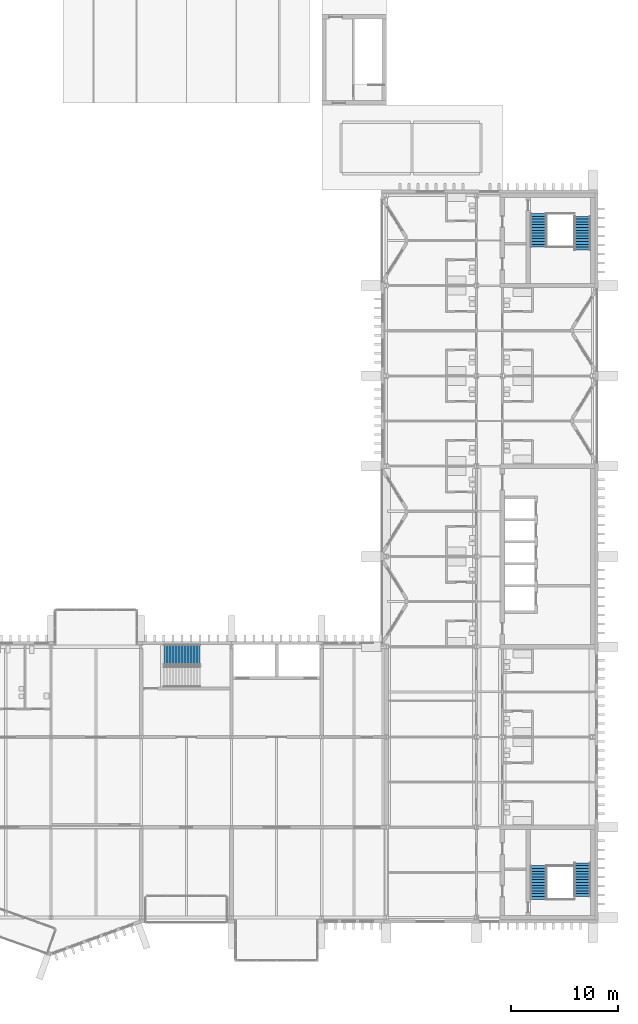
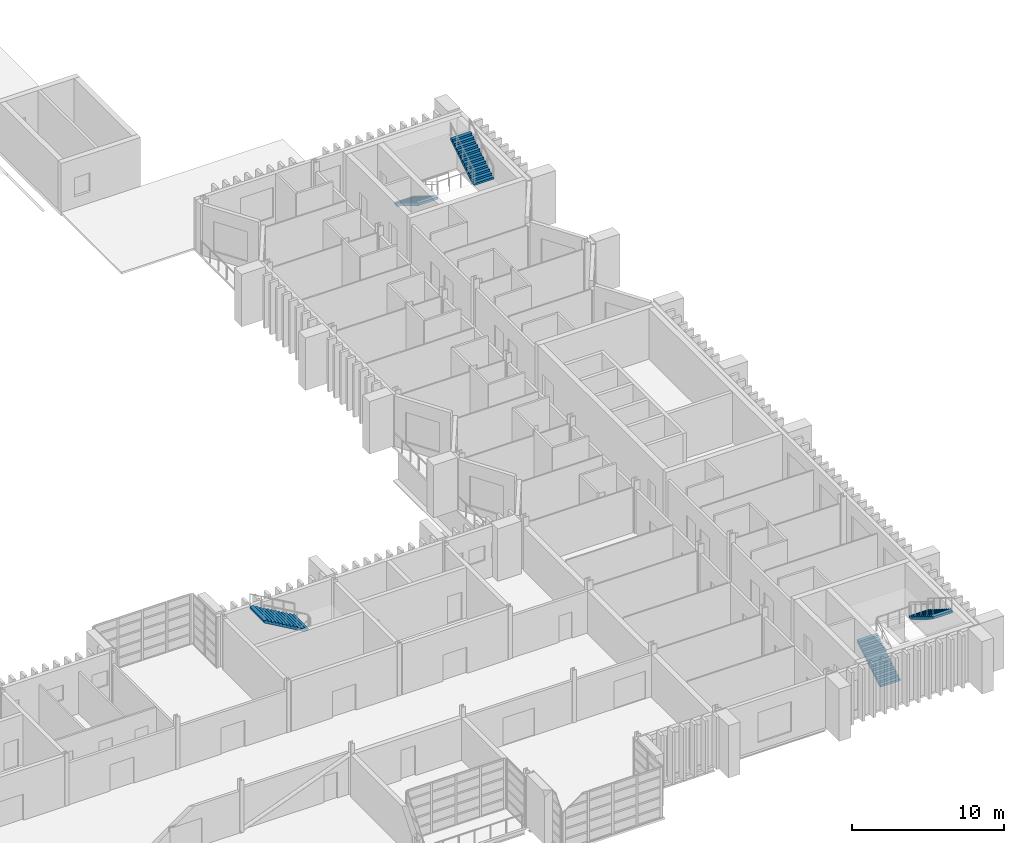
# One storey, part 81 of 100: 5 stair flights, 3 elements without a shape of their own.
"""IFC4 building model written with IfcOpenShell, lengths in metres."""

from ifc_helpers import new_model, si_unit, direction, frame, origin, place, context, subcontext, project, spatial, polyline, outline, extrude, material, type_object, element, aggregate, save


model = new_model("IFC4")

# Units and contexts
model_context = context("Model", 3, precision=1e-05, world=origin(), true_north=direction((0.0, 1.0)))
body_context = subcontext(model_context, "Body", "Model", "MODEL_VIEW")
ifc_project = project(units=[si_unit("LENGTHUNIT", "METRE"), si_unit("AREAUNIT", "SQUARE_METRE"), si_unit("VOLUMEUNIT", "CUBIC_METRE"), si_unit("PLANEANGLEUNIT", "RADIAN"), si_unit("MASSUNIT", "GRAM", prefix="KILO")], contexts=[model_context])

# Site, building, storey
site_placement = place(None, origin())
site = spatial("IfcSite", under=ifc_project, at=site_placement, CompositionType="ELEMENT")
building_placement = place(site_placement, origin())
building = spatial("IfcBuilding", under=site, at=building_placement, Name="Cresset Court Congress Hotel", CompositionType="ELEMENT")
storey_placement = place(building_placement, frame((0.0, 0.0, 10.199951171875)))
storey = spatial("IfcBuildingStorey", under=building, at=storey_placement, Name="L02", CompositionType="ELEMENT", Elevation=10.199951171875)

# Stair, stair flights
ifc_material_1 = material(Name="Concrete C40", Category="concrete")
stair_type_1 = type_object("IfcStairType", Name="Concrete dog-leg stair 5600", PredefinedType="HALF_TURN_STAIR", material=ifc_material_1)
stair_1_placement = place(storey_placement, origin())
stair_1 = element("IfcStair", 1, at=stair_1_placement, inside=storey, type_object=stair_type_1, Name="Stair A1 L02", PredefinedType="HALF_TURN_STAIR")
ifc_material_2 = material(Name="Concrete C40", Category="concrete")
stair_flight_type_1 = type_object("IfcStairFlightType", Name="Concrete stair flight", PredefinedType="STRAIGHT", material=ifc_material_2)
stair_flight_1_placement = place(storey_placement, frame((171.35009765625, 1.699951171875, 0.0), z_axis=(0.0, 0.0, 1.0), x_axis=(0.0, 1.0, 0.0)))
stair_flight_1 = element("IfcStairFlight", 2, at=stair_flight_1_placement, type_object=stair_flight_type_1, Name="A-ST1 flight 1", NumberOfRisers=13, NumberOfTreads=12, PredefinedType="STRAIGHT", RiserHeight=0.161538462, TreadLength=0.26, context=body_context, shape_type="SweptSolid", body=[
    extrude(outline(polyline([(0.0, 0.0), (0.0, 0.16162109375), (0.260009765625, 0.16162109375), (0.260009765625, 0.322998046875), (0.52001953125, 0.322998046875), (0.52001953125, 0.484619140625), (0.780029296875, 0.484619140625), (0.780029296875, 0.646240234375), (1.0400390625, 0.646240234375), (1.0400390625, 0.8076171875), (1.300048828125, 0.8076171875), (1.300048828125, 0.96923828125), (1.56005859375, 0.96923828125), (1.56005859375, 1.130859375), (1.820068359375, 1.130859375), (1.820068359375, 1.292236328125), (2.080078125, 1.292236328125), (2.080078125, 1.453857421875), (2.340087890625, 1.453857421875), (2.340087890625, 1.615478515625), (2.60009765625, 1.615478515625), (2.60009765625, 1.77685546875), (2.860107421875, 1.77685546875), (2.860107421875, 1.9384765625), (3.1201171875, 1.9384765625), (3.1201171875, 2.10009765625), (3.1201171875, 1.761962890625), (0.283935546875, 0.0), (0.0, 0.0)])), frame((0.0, 0.75, 0.0), z_axis=(0.0, -1.0, 0.0), x_axis=(1.0, 0.0, 0.0)), (0.0, 0.0, 1.0), 1.5),
])
stair_flight_2_placement = place(storey_placement, frame((175.449951171875, 5.080078125, 2.10009765625), z_axis=(0.0, 0.0, 1.0), x_axis=(0.0, -1.0, 0.0)))
stair_flight_2 = element("IfcStairFlight", 3, at=stair_flight_2_placement, type_object=stair_flight_type_1, Name="A-ST1 flight 2", NumberOfRisers=13, NumberOfTreads=12, PredefinedType="STRAIGHT", RiserHeight=0.161538462, TreadLength=0.26, context=body_context, shape_type="SweptSolid", body=[
    extrude(outline(polyline([(0.0, 0.0), (0.0, 0.16162109375), (0.260009765625, 0.16162109375), (0.260009765625, 0.322998046875), (0.52001953125, 0.322998046875), (0.52001953125, 0.484619140625), (0.780029296875, 0.484619140625), (0.780029296875, 0.646240234375), (1.0400390625, 0.646240234375), (1.0400390625, 0.8076171875), (1.300048828125, 0.8076171875), (1.300048828125, 0.96923828125), (1.56005859375, 0.96923828125), (1.56005859375, 1.130859375), (1.820068359375, 1.130859375), (1.820068359375, 1.292236328125), (2.080078125, 1.292236328125), (2.080078125, 1.453857421875), (2.340087890625, 1.453857421875), (2.340087890625, 1.615478515625), (2.60009765625, 1.615478515625), (2.60009765625, 1.77685546875), (2.860107421875, 1.77685546875), (2.860107421875, 1.9384765625), (3.1201171875, 1.9384765625), (3.1201171875, 2.10009765625), (3.1201171875, 1.761962890625), (0.283935546875, 0.0), (0.0, 0.0)])), frame((0.0, 0.75, 0.0), z_axis=(0.0, -1.0, 0.0), x_axis=(1.0, 0.0, 0.0)), (0.0, 0.0, 1.0), 1.5),
])
aggregate(stair_1, [stair_flight_1, stair_flight_2])

stair_2_placement = place(storey_placement, origin())
stair_2 = element("IfcStair", 4, at=stair_2_placement, inside=storey, type_object=stair_type_1, Name="Stair A2 L02", PredefinedType="HALF_TURN_STAIR")
stair_flight_3_placement = place(storey_placement, frame((171.35009765625, 65.5, 0.0), z_axis=(0.0, 0.0, 1.0), x_axis=(0.0, -1.0, 0.0)))
stair_flight_3 = element("IfcStairFlight", 5, at=stair_flight_3_placement, type_object=stair_flight_type_1, Name="A-ST1 flight 1", NumberOfRisers=13, NumberOfTreads=12, PredefinedType="STRAIGHT", RiserHeight=0.161538462, TreadLength=0.26, context=body_context, shape_type="SweptSolid", body=[
    extrude(outline(polyline([(0.0, 0.0), (0.0, 0.16162109375), (0.260009765625, 0.16162109375), (0.260009765625, 0.322998046875), (0.52001953125, 0.322998046875), (0.52001953125, 0.484619140625), (0.780029296875, 0.484619140625), (0.780029296875, 0.646240234375), (1.0400390625, 0.646240234375), (1.0400390625, 0.8076171875), (1.300048828125, 0.8076171875), (1.300048828125, 0.96923828125), (1.56005859375, 0.96923828125), (1.56005859375, 1.130859375), (1.820068359375, 1.130859375), (1.820068359375, 1.292236328125), (2.080078125, 1.292236328125), (2.080078125, 1.453857421875), (2.340087890625, 1.453857421875), (2.340087890625, 1.615478515625), (2.60009765625, 1.615478515625), (2.60009765625, 1.77685546875), (2.860107421875, 1.77685546875), (2.860107421875, 1.9384765625), (3.1201171875, 1.9384765625), (3.1201171875, 2.10009765625), (3.1201171875, 1.761962890625), (0.283935546875, 0.0), (0.0, 0.0)])), frame((0.0, 0.75, 0.0), z_axis=(0.0, -1.0, 0.0), x_axis=(1.0, 0.0, 0.0)), (0.0, 0.0, 1.0), 1.5),
])
stair_flight_4_placement = place(storey_placement, frame((175.449951171875, 62.1201171875, 2.10009765625), z_axis=(0.0, 0.0, 1.0), x_axis=(0.0, 1.0, 0.0)))
stair_flight_4 = element("IfcStairFlight", 6, at=stair_flight_4_placement, type_object=stair_flight_type_1, Name="A-ST1 flight 2", NumberOfRisers=13, NumberOfTreads=12, PredefinedType="STRAIGHT", RiserHeight=0.161538462, TreadLength=0.26, context=body_context, shape_type="SweptSolid", body=[
    extrude(outline(polyline([(0.0, 0.0), (0.0, 0.16162109375), (0.260009765625, 0.16162109375), (0.260009765625, 0.322998046875), (0.52001953125, 0.322998046875), (0.52001953125, 0.484619140625), (0.780029296875, 0.484619140625), (0.780029296875, 0.646240234375), (1.0400390625, 0.646240234375), (1.0400390625, 0.8076171875), (1.300048828125, 0.8076171875), (1.300048828125, 0.96923828125), (1.56005859375, 0.96923828125), (1.56005859375, 1.130859375), (1.820068359375, 1.130859375), (1.820068359375, 1.292236328125), (2.080078125, 1.292236328125), (2.080078125, 1.453857421875), (2.340087890625, 1.453857421875), (2.340087890625, 1.615478515625), (2.60009765625, 1.615478515625), (2.60009765625, 1.77685546875), (2.860107421875, 1.77685546875), (2.860107421875, 1.9384765625), (3.1201171875, 1.9384765625), (3.1201171875, 2.10009765625), (3.1201171875, 1.761962890625), (0.283935546875, 0.0), (0.0, 0.0)])), frame((0.0, 0.75, 0.0), z_axis=(0.0, -1.0, 0.0), x_axis=(1.0, 0.0, 0.0)), (0.0, 0.0, 1.0), 1.5),
])
aggregate(stair_2, [stair_flight_3, stair_flight_4])

# Stair, stair flight
ifc_material_3 = material(Name="Concrete C40", Category="concrete")
stair_type_2 = type_object("IfcStairType", Name="Dog-leg stair 1400 flights", PredefinedType="HALF_TURN_STAIR", material=ifc_material_3)
stair_3_placement = place(storey_placement, origin())
stair_3 = element("IfcStair", 7, at=stair_3_placement, inside=storey, type_object=stair_type_2, Name="L02 Stair ST-B5", PredefinedType="HALF_TURN_STAIR")
ifc_material_4 = material(Name="Concrete C40", Category="concrete")
stair_flight_type_2 = type_object("IfcStairFlightType", Name="Stair flight 1400", PredefinedType="STRAIGHT", material=ifc_material_4)
stair_flight_5_placement = place(storey_placement, frame((139.860107421875, 24.449951171875, 2.10009765625), z_axis=(0.0, 0.0, 1.0), x_axis=(-1.0, 0.0, 0.0)))
stair_flight_5 = element("IfcStairFlight", 8, at=stair_flight_5_placement, type_object=stair_flight_type_2, Name="ST-B5 flight 2", NumberOfRisers=13, NumberOfTreads=12, PredefinedType="STRAIGHT", RiserHeight=0.161538462, TreadLength=0.28, context=body_context, shape_type="SweptSolid", body=[
    extrude(outline(polyline([(0.0, 0.0), (0.0, 0.16162109375), (0.280029296875, 0.16162109375), (0.280029296875, 0.322998046875), (0.56005859375, 0.322998046875), (0.56005859375, 0.484619140625), (0.840087890625, 0.484619140625), (0.840087890625, 0.646240234375), (1.1201171875, 0.646240234375), (1.1201171875, 0.8076171875), (1.39990234375, 0.8076171875), (1.39990234375, 0.96923828125), (1.679931640625, 0.96923828125), (1.679931640625, 1.130859375), (1.9599609375, 1.130859375), (1.9599609375, 1.292236328125), (2.239990234375, 1.292236328125), (2.239990234375, 1.453857421875), (2.52001953125, 1.453857421875), (2.52001953125, 1.615478515625), (2.800048828125, 1.615478515625), (2.800048828125, 1.77685546875), (3.080078125, 1.77685546875), (3.080078125, 1.9384765625), (3.360107421875, 1.9384765625), (3.360107421875, 2.10009765625), (3.360107421875, 1.765380859375), (0.300048828125, 0.0), (0.0, 0.0)])), frame((0.0, 0.949951171875, 0.0), z_axis=(0.0, -1.0, 0.0), x_axis=(1.0, 0.0, 0.0)), (0.0, 0.0, 1.0), 1.89990234375),
])
aggregate(stair_3, [stair_flight_5])

save(model, "model.ifc")
